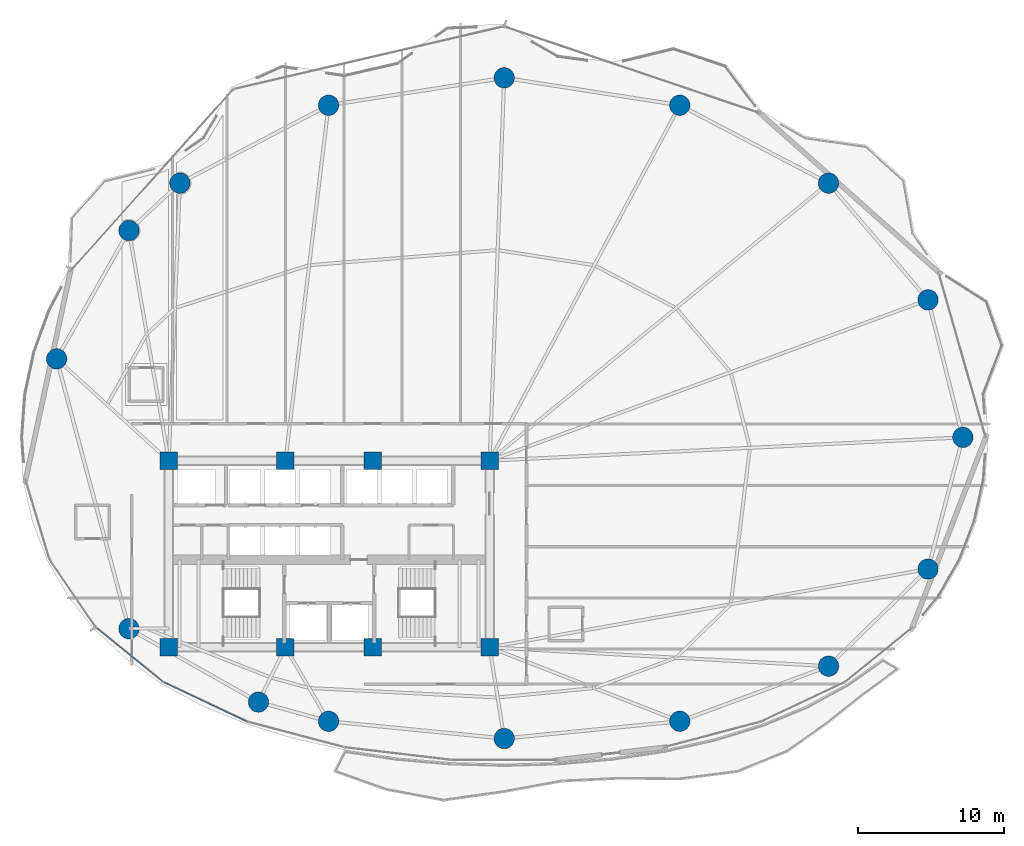
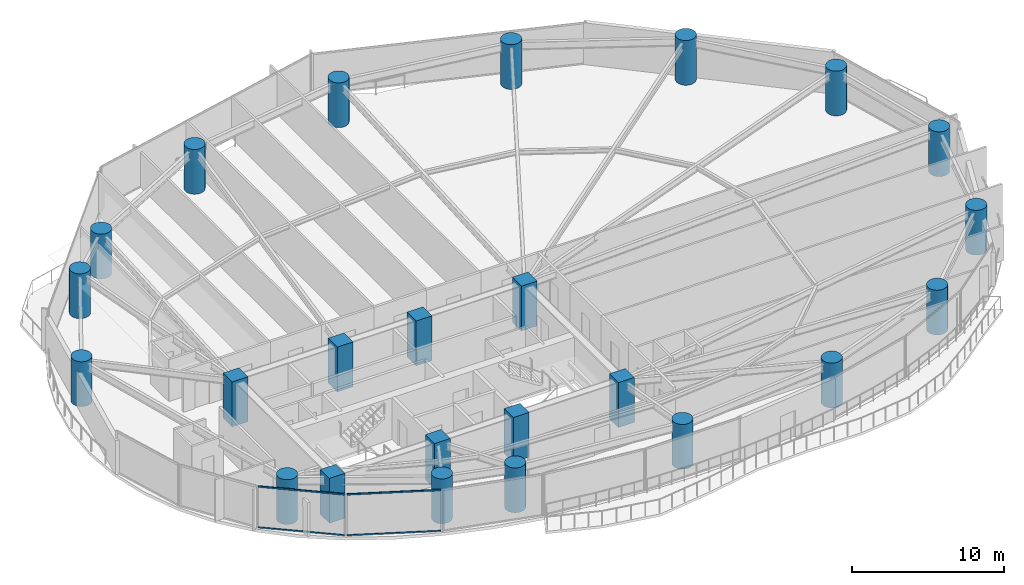
# One storey, part 1 of 31: 24 columns, 4 members, 2 elements without a shape of their own.
"""IFC4 building model written with IfcOpenShell, lengths in metres."""

from ifc_helpers import new_model, si_unit, direction, frame, origin, origin_2d, place, context, subcontext, project, spatial, rectangle, hollow_rectangle, circle, extrude, material, layer, layer_set, material_profile, profile_set, type_object, element, aggregate, save


model = new_model("IFC4")

# Units and contexts
model_context = context("Model", 3, precision=1e-05, world=origin(), true_north=direction((0.0, 1.0)))
body_context = subcontext(model_context, "Body", "Model", "MODEL_VIEW")
ifc_project = project(units=[si_unit("LENGTHUNIT", "METRE"), si_unit("AREAUNIT", "SQUARE_METRE"), si_unit("VOLUMEUNIT", "CUBIC_METRE"), si_unit("PLANEANGLEUNIT", "RADIAN"), si_unit("MASSUNIT", "GRAM", prefix="KILO")], contexts=[model_context])

# Site, building, storey
site_placement = place(None, origin())
site = spatial("IfcSite", under=ifc_project, at=site_placement, CompositionType="ELEMENT")
building_placement = place(site_placement, origin())
building = spatial("IfcBuilding", under=site, at=building_placement, Name="Kazevale Care Tower and Concert Hall", CompositionType="ELEMENT")
storey_placement = place(building_placement, frame((0.0, 0.0, 78.0)))
storey = spatial("IfcBuildingStorey", under=building, at=storey_placement, Name="L20", CompositionType="ELEMENT", Elevation=78.0)

# Columns
ifc_material_1 = material(Name="Concrete C70", Category="concrete")
ifc_material_profile_1 = material_profile(ifc_material_1, rectangle(XDim=1.199951171875, YDim=1.199951171875, at=origin_2d()), Name="RC-SQ1200")
ifc_profile_set_1 = profile_set([ifc_material_profile_1], Name="Concrete C70")
column_type_1 = type_object("IfcColumnType", Name="Core Column SQ1200 C70", PredefinedType="COLUMN", material=ifc_profile_set_1)
for number, where, z_axis, x_axis, name in (
    (1, (22.0, 23.60009765625, 0.0), (0.0, 0.0, 1.0), (1.0, 0.0, 0.0), "col:L20:CC-01"),
    (2, (30.0, 23.60009765625, 0.0), (0.0, 0.0, 1.0), (1.0, 0.0, 0.0), "col:L20:CC-02"),
    (3, (36.0, 23.60009765625, 0.0), (0.0, 0.0, 1.0), (1.0, 0.0, 0.0), "col:L20:CC-03"),
    (4, (44.0, 23.60009765625, 0.0), (0.0, 0.0, 1.0), (1.0, 0.0, 0.0), "col:L20:CC-04"),
    (5, (44.0, 36.39990234375, 0.0), (0.0, 0.0, 1.0), (1.0, 0.0, 0.0), "col:L20:CC-05"),
    (6, (36.0, 36.39990234375, 0.0), (0.0, 0.0, 1.0), (1.0, 0.0, 0.0), "col:L20:CC-06"),
    (7, (30.0, 36.39990234375, 0.0), (0.0, 0.0, 1.0), (1.0, 0.0, 0.0), "col:L20:CC-07"),
    (8, (22.0, 36.39990234375, 0.0), (0.0, 0.0, 1.0), (1.0, 0.0, 0.0), "col:L20:CC-08"),
):
    element("IfcColumn", number, at=place(storey_placement, frame(where, z_axis=z_axis, x_axis=x_axis)), inside=storey, type_object=column_type_1, Name=name, PredefinedType="COLUMN", context=body_context, shape_type="SweptSolid", body=[
        extrude(rectangle(XDim=1.199951171875, YDim=1.199951171875, at=origin_2d()), origin(), (0.0, 0.0, 1.0), 3.60009765625),
    ])
ifc_material_profile_2 = material_profile(ifc_material_1, circle(Radius=0.699951171875, at=origin_2d()), Name="RC-CIR1400")
ifc_profile_set_2 = profile_set([ifc_material_profile_2], Name="Concrete C70")
column_type_2 = type_object("IfcColumnType", Name="Perimeter Column CIR1400 C70", PredefinedType="COLUMN", material=ifc_profile_set_2)
for number, where, z_axis, x_axis, name in (
    (9, (76.449951171875, 38.0, 0.0), (0.0, 0.0, 1.0), (1.0, 0.0, 0.0), "col:L20:PC-01"),
    (10, (74.06005859375, 47.429931640625, 0.0), (0.0, 0.0, 1.0), (1.0, 0.0, 0.0), "col:L20:PC-02"),
    (11, (67.239990234375, 55.429931640625, 0.0), (0.0, 0.0, 1.0), (1.0, 0.0, 0.0), "col:L20:PC-03"),
    (12, (57.0400390625, 60.77001953125, 0.0), (0.0, 0.0, 1.0), (1.0, 0.0, 0.0), "col:L20:PC-04"),
    (13, (45.0, 62.64990234375, 0.0), (0.0, 0.0, 1.0), (1.0, 0.0, 0.0), "col:L20:PC-05"),
    (14, (32.9599609375, 60.77001953125, 0.0), (0.0, 0.0, 1.0), (1.0, 0.0, 0.0), "col:L20:PC-06"),
    (15, (22.760009765625, 55.429931640625, 0.0), (0.0, 0.0, 1.0), (1.0, 0.0, 0.0), "col:L20:PC-07"),
    (16, (19.27001953125, 52.179931640625, 0.0), (0.0, 0.0, 1.0), (1.0, 0.0, 0.0), "col:L20:PC-08"),
    (17, (14.31005859375, 43.3798828125, 0.0), (0.0, 0.0, 1.0), (1.0, 0.0, 0.0), "col:L20:PC-09"),
    (18, (19.27001953125, 24.8798828125, 0.0), (0.0, 0.0, 1.0), (1.0, 0.0, 0.0), "col:L20:PC-10"),
    (19, (28.14990234375, 19.85009765625, 0.0), (0.0, 0.0, 1.0), (1.0, 0.0, 0.0), "col:L20:PC-11"),
    (20, (32.9599609375, 18.530029296875, 0.0), (0.0, 0.0, 1.0), (1.0, 0.0, 0.0), "col:L20:PC-12"),
    (21, (45.0, 17.35009765625, 0.0), (0.0, 0.0, 1.0), (1.0, 0.0, 0.0), "col:L20:PC-13"),
    (22, (57.0400390625, 18.530029296875, 0.0), (0.0, 0.0, 1.0), (1.0, 0.0, 0.0), "col:L20:PC-14"),
    (23, (67.239990234375, 22.31005859375, 0.0), (0.0, 0.0, 1.0), (1.0, 0.0, 0.0), "col:L20:PC-15"),
    (24, (74.06005859375, 28.969970703125, 0.0), (0.0, 0.0, 1.0), (1.0, 0.0, 0.0), "col:L20:PC-16"),
):
    element("IfcColumn", number, at=place(storey_placement, frame(where, z_axis=z_axis, x_axis=x_axis)), inside=storey, type_object=column_type_2, Name=name, PredefinedType="COLUMN", context=body_context, shape_type="SweptSolid", body=[
        extrude(circle(Radius=0.699951171875, at=origin_2d()), origin(), (0.0, 0.0, 1.0), 3.60009765625),
    ])

# Curtain wall, members
ifc_material_2 = material(Name="Aluminium 6063-T6 and Low-E Glass", Category="aluminium")
ifc_layer = layer(ifc_material_2, 0.179931640625)
ifc_layer_set = layer_set([ifc_layer], Name="Aluminium 6063-T6 and Low-E Glass")
curtain_wall_type = type_object("IfcCurtainWallType", Name="Sheltered Concave Balcony Curtain Wall CW-5", PredefinedType="NOTDEFINED", material=ifc_layer_set)
curtain_wall_1_placement = place(storey_placement, origin())
curtain_wall_1 = element("IfcCurtainWall", 25, at=curtain_wall_1_placement, inside=storey, type_object=curtain_wall_type, Name="cw:L20:f09", PredefinedType="NOTDEFINED")
ifc_material_3 = material(Name="Aluminium 6063-T6", Category="aluminium")
ifc_material_profile_3 = material_profile(ifc_material_3, hollow_rectangle(XDim=0.074951171875, YDim=0.1201171875, WallThickness=0.00390625, at=origin_2d()), Name="ALU75x120x4")
ifc_profile_set_3 = profile_set([ifc_material_profile_3], Name="Aluminium 6063-T6")
member_type = type_object("IfcMemberType", Name="CW-5 Transom ALU75x120x4", PredefinedType="USERDEFINED", material=ifc_profile_set_3)
member_1_placement = place(storey_placement, frame((27.3291015625, 18.531005859375, 0.03759765625), z_axis=(-0.904271726847, 0.426957426479, 0.0), x_axis=(-0.426957426479, -0.904271726847, 0.0)))
member_1 = element("IfcMember", 26, at=member_1_placement, type_object=member_type, Name="CW-5 transom 1.1", ObjectType="TRANSOM", PredefinedType="USERDEFINED", context=body_context, shape_type="SweptSolid", body=[
    extrude(hollow_rectangle(XDim=0.074951171875, YDim=0.1201171875, WallThickness=0.00390625, at=origin_2d()), origin(), (0.0, 0.0, 1.0), 6.23974609375),
])
member_2_placement = place(storey_placement, frame((27.3291015625, 18.531005859375, 3.322509765625), z_axis=(-0.904271726847, 0.426957426479, 0.0), x_axis=(-0.426957426479, -0.904271726847, 0.0)))
member_2 = element("IfcMember", 27, at=member_2_placement, type_object=member_type, Name="CW-5 transom 1.2", ObjectType="TRANSOM", PredefinedType="USERDEFINED", context=body_context, shape_type="SweptSolid", body=[
    extrude(hollow_rectangle(XDim=0.074951171875, YDim=0.1201171875, WallThickness=0.00390625, at=origin_2d()), origin(), (0.0, 0.0, 1.0), 6.23974609375),
])
aggregate(curtain_wall_1, [member_1, member_2])

curtain_wall_2_placement = place(storey_placement, origin())
curtain_wall_2 = element("IfcCurtainWall", 28, at=curtain_wall_2_placement, inside=storey, type_object=curtain_wall_type, Name="cw:L20:f10", PredefinedType="NOTDEFINED")
member_3_placement = place(storey_placement, frame((21.560791015625, 21.274169921875, 0.03759765625), z_axis=(-0.77659518273, 0.629999938223, 0.0), x_axis=(-0.629999938223, -0.77659518273, 0.0)))
member_3 = element("IfcMember", 29, at=member_3_placement, type_object=member_type, Name="CW-5 transom 1.1", ObjectType="TRANSOM", PredefinedType="USERDEFINED", context=body_context, shape_type="SweptSolid", body=[
    extrude(hollow_rectangle(XDim=0.074951171875, YDim=0.1201171875, WallThickness=0.00390625, at=origin_2d()), origin(), (0.0, 0.0, 1.0), 5.770751953125),
])
member_4_placement = place(storey_placement, frame((21.560791015625, 21.274169921875, 3.322509765625), z_axis=(-0.77659518273, 0.629999938223, 0.0), x_axis=(-0.629999938223, -0.77659518273, 0.0)))
member_4 = element("IfcMember", 30, at=member_4_placement, type_object=member_type, Name="CW-5 transom 1.2", ObjectType="TRANSOM", PredefinedType="USERDEFINED", context=body_context, shape_type="SweptSolid", body=[
    extrude(hollow_rectangle(XDim=0.074951171875, YDim=0.1201171875, WallThickness=0.00390625, at=origin_2d()), origin(), (0.0, 0.0, 1.0), 5.770751953125),
])
aggregate(curtain_wall_2, [member_3, member_4])

save(model, "model.ifc")
